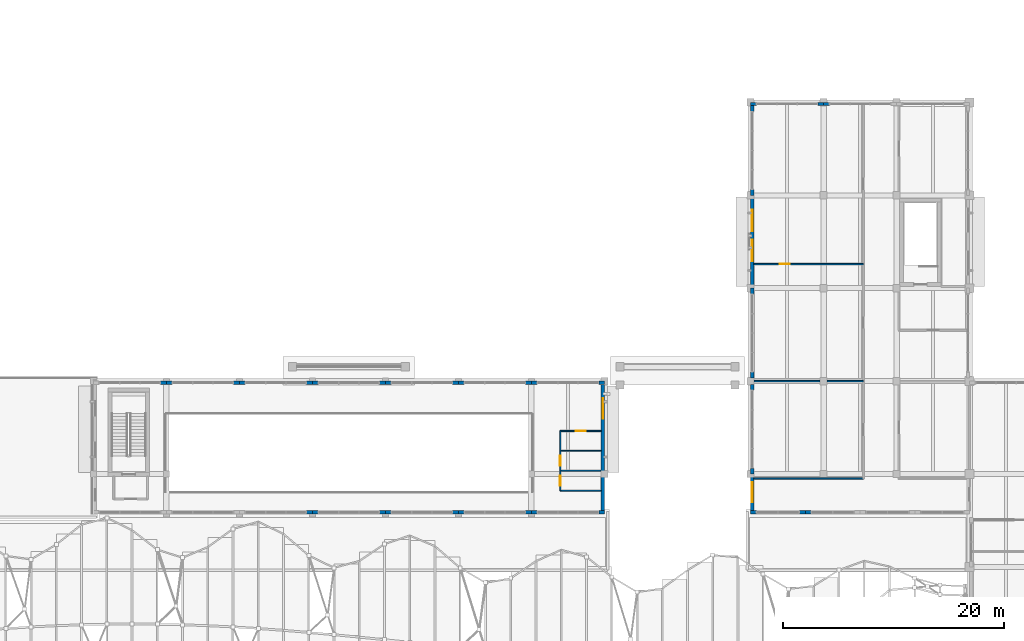
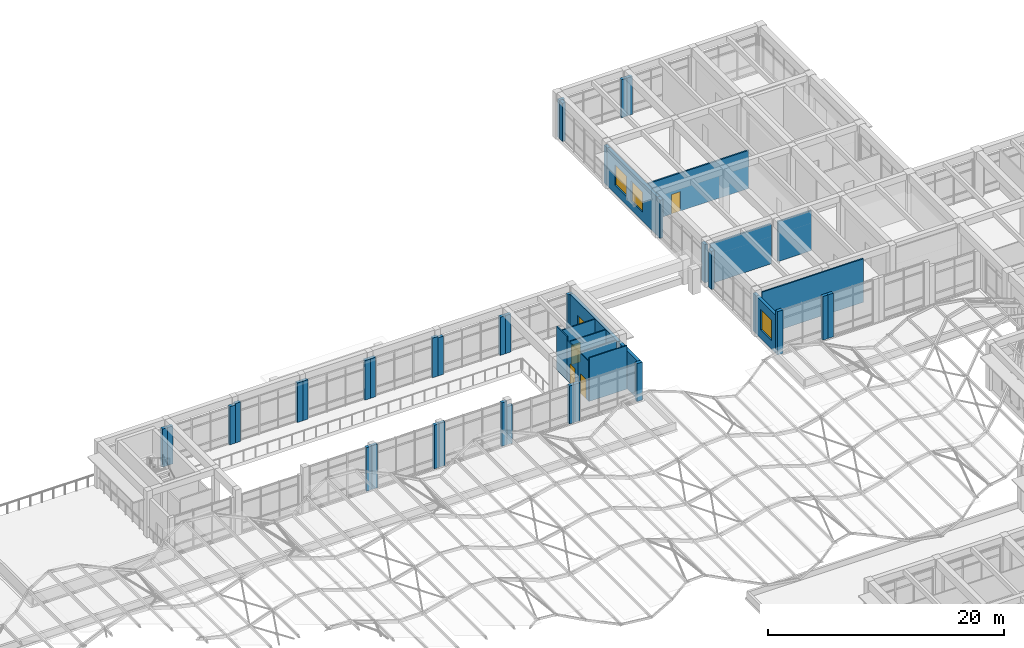
# One storey, part 56 of 79: 49 walls, 4 doors, 4 windows, 8 openings.
"""IFC4 building model written with IfcOpenShell, lengths in metres."""

from ifc_helpers import new_model, si_unit, direction, frame, frame_2d, origin, place, context, subcontext, project, spatial, rectangle, extrude, material, layer, layer_set, type_object, element, fill, save


model = new_model("IFC4")

# Units and contexts
model_context = context("Model", 3, precision=1e-05, world=origin(), true_north=direction((0.0, 1.0)))
body_context = subcontext(model_context, "Body", "Model", "MODEL_VIEW")
ifc_project = project(units=[si_unit("LENGTHUNIT", "METRE"), si_unit("AREAUNIT", "SQUARE_METRE"), si_unit("VOLUMEUNIT", "CUBIC_METRE"), si_unit("PLANEANGLEUNIT", "RADIAN"), si_unit("MASSUNIT", "GRAM", prefix="KILO")], contexts=[model_context])

# Site, building, storey
site_placement = place(None, origin())
site = spatial("IfcSite", under=ifc_project, at=site_placement, CompositionType="ELEMENT")
building_placement = place(site_placement, origin())
building = spatial("IfcBuilding", under=site, at=building_placement, Name="Kolvaren Faculty of Natural Sciences", CompositionType="ELEMENT")
storey_placement = place(building_placement, frame((0.0, 0.0, 10.199951171875)))
storey = spatial("IfcBuildingStorey", under=building, at=storey_placement, Name="L02", CompositionType="ELEMENT", Elevation=10.199951171875)

# Walls
ifc_material_1 = material(Name="Acoustic mineral-wool insulated gypsum partition")
ifc_layer_1 = layer(ifc_material_1, 0.14501953125)
ifc_layer_set_1 = layer_set([ifc_layer_1], Name="Acoustic mineral-wool insulated gypsum partition")
wall_type_1 = type_object("IfcWallType", Name="CommonsPartitionWall_145", PredefinedType="PARTITIONING", material=ifc_layer_set_1)
wall_1_placement = place(storey_placement, frame((129.199951171875, 84.199951171875, 0.0), z_axis=(0.0, 0.0, 1.0), x_axis=(-1.0, 0.0, 0.0)))
element("IfcWall", 1, at=wall_1_placement, inside=storey, type_object=wall_type_1, Name="L02 interior partition PW-145", PredefinedType="PARTITIONING", context=body_context, shape_type="SweptSolid", body=[
    extrude(rectangle(XDim=3.27490234375, YDim=0.14501953125, at=frame_2d((1.637451171875, 0.0))), origin(), (0.0, 0.0, 1.0), 4.135009765625),
])
wall_2_placement = place(storey_placement, frame((125.27490234375, 84.199951171875, 0.0), z_axis=(0.0, 0.0, 1.0), x_axis=(-1.0, 0.0, 0.0)))
element("IfcWall", 2, at=wall_2_placement, inside=storey, type_object=wall_type_1, Name="L02 interior partition PW-145", PredefinedType="PARTITIONING", context=body_context, shape_type="SweptSolid", body=[
    extrude(rectangle(XDim=5.949951171875, YDim=0.14501953125, at=frame_2d((2.97509765625, 0.0))), origin(), (0.0, 0.0, 1.0), 4.135009765625),
])

# Wall, opening, door
wall_3_placement = place(storey_placement, frame((119.302001953125, 94.783935546875, 0.0), z_axis=(0.0, 0.0, 1.0), x_axis=(1.0, 0.0, 0.0)))
wall_3 = element("IfcWall", 3, at=wall_3_placement, inside=storey, type_object=wall_type_1, Name="L02 interior partition PW-145", PredefinedType="PARTITIONING", context=body_context, shape_type="SweptSolid", body=[
    extrude(rectangle(XDim=9.89794921875, YDim=0.14501953125, at=frame_2d((4.948974609375, 0.0))), origin(), (0.0, 0.0, 1.0), 3.93505859375),
])
opening_1_placement = place(wall_3_placement, frame((2.3212890625, 0.0, 0.0)))
opening_1 = element("IfcOpeningElement", 4, at=opening_1_placement, cuts=wall_3, Name="Opening ID-01", PredefinedType="OPENING", context=body_context, shape_type="SweptSolid", body=[
    extrude(rectangle(XDim=0.89990234375, YDim=2.02001953125, at=frame_2d((0.449951171875, 1.010009765625))), frame((0.0, 0.08251953125, 0.0), z_axis=(0.0, -1.0, 0.0), x_axis=(1.0, 0.0, 0.0)), (0.0, 0.0, 1.0), 0.1650390625),
])
ifc_material_2 = material(Name="Solid-core hardwood veneer door leaf in steel frame", Category="steel")
door_type = type_object("IfcDoorType", Name="InteriorRoomDoor_900x2020", OperationType="NOTDEFINED", PredefinedType="DOOR", material=ifc_material_2)
door_1_placement = place(opening_1_placement, origin())
door_1 = element("IfcDoor", 5, at=door_1_placement, inside=storey, type_object=door_type, Name="D-L02-0185", OperationType="SINGLE_SWING_LEFT", OverallHeight=2.02001953125, OverallWidth=0.89990234375, PredefinedType="DOOR", context=body_context, shape_type="SweptSolid", body=[
    extrude(rectangle(XDim=0.89990234375, YDim=2.02001953125, at=frame_2d((0.449951171875, 1.010009765625))), frame((0.0, 0.02490234375, 0.0), z_axis=(0.0, -1.0, 0.0), x_axis=(1.0, 0.0, 0.0)), (0.0, 0.0, 1.0), 0.050048828125),
])
fill(opening_1, door_1)

# Walls
ifc_material_3 = material(Name="Sandstone-faced insulated cavity masonry", Category="masonry")
ifc_layer_2 = layer(ifc_material_3, 0.300048828125)
ifc_layer_set_2 = layer_set([ifc_layer_2], Name="Sandstone-faced insulated cavity masonry")
wall_type_2 = type_object("IfcWallType", Name="ExteriorCavityWall_300", PredefinedType="STANDARD", material=ifc_layer_set_2)
for number, where, z_axis, x_axis, name in (
    (6, (124.469970703125, 72.35009765625, 0.0), (0.0, 0.0, 1.0), (-1.0, 0.0, 0.0), "L02 curtain-wall pier stub 366"),
    (7, (123.949951171875, 72.35009765625, 0.0), (0.0, 0.0, 1.0), (-1.0, 0.0, 0.0), "L02 curtain-wall pier stub 367"),
    (8, (119.52001953125, 72.35009765625, 0.0), (0.0, 0.0, 1.0), (-1.0, 0.0, 0.0), "L02 curtain-wall pier stub 368"),
):
    element("IfcWall", number, at=place(storey_placement, frame(where, z_axis=z_axis, x_axis=x_axis)), inside=storey, type_object=wall_type_2, Name=name, PredefinedType="STANDARD", context=body_context, shape_type="SweptSolid", body=[
        extrude(rectangle(XDim=0.52001953125, YDim=0.300048828125, at=frame_2d((0.260009765625, 0.0))), origin(), (0.0, 0.0, 1.0), 4.5),
    ])

# Wall, opening, window
wall_4_placement = place(storey_placement, frame((119.14990234375, 72.5, 0.0), z_axis=(0.0, 0.0, 1.0), x_axis=(0.0, 1.0, 0.0)))
wall_4 = element("IfcWall", 9, at=wall_4_placement, inside=storey, type_object=wall_type_2, Name="L02 exterior masonry wall EW-300 (369)", PredefinedType="STANDARD", context=body_context, shape_type="SweptSolid", body=[
    extrude(rectangle(XDim=3.300048828125, YDim=0.300048828125, at=frame_2d((1.64990234375, 0.0))), origin(), (0.0, 0.0, 1.0), 3.93505859375),
])
opening_2_placement = place(wall_4_placement, frame((0.75, 0.0, 0.89990234375)))
opening_2 = element("IfcOpeningElement", 10, at=opening_2_placement, cuts=wall_4, Name="Opening WIN-05", PredefinedType="OPENING", context=body_context, shape_type="SweptSolid", body=[
    extrude(rectangle(XDim=1.800048828125, YDim=2.10009765625, at=frame_2d((0.89990234375, 1.050048828125))), frame((0.0, 0.159912109375, 0.0), z_axis=(0.0, -1.0, 0.0), x_axis=(1.0, 0.0, 0.0)), (0.0, 0.0, 1.0), 0.320068359375),
])
ifc_material_4 = material(Name="Double low-E solar control insulated glazing", Category="glass")
window_type_1 = type_object("IfcWindowType", Name="AluWindow_WIN05_1800x2100", PartitioningType="SINGLE_PANEL", PredefinedType="WINDOW", material=ifc_material_4)
window_1_placement = place(opening_2_placement, origin())
window_1 = element("IfcWindow", 11, at=window_1_placement, inside=storey, type_object=window_type_1, Name="WIN-L02-0279", OverallHeight=2.10009765625, OverallWidth=1.800048828125, PartitioningType="SINGLE_PANEL", PredefinedType="WINDOW", context=body_context, shape_type="SweptSolid", body=[
    extrude(rectangle(XDim=1.800048828125, YDim=2.10009765625, at=frame_2d((0.89990234375, 1.050048828125))), frame((0.0, 0.030029296875, 0.0), z_axis=(0.0, -1.0, 0.0), x_axis=(1.0, 0.0, 0.0)), (0.0, 0.0, 1.0), 0.06005859375),
])
fill(opening_2, window_1)

# Walls
for number, where, z_axis, x_axis, name in (
    (12, (119.14990234375, 75.800048828125, 0.0), (0.0, 0.0, 1.0), (0.0, 1.0, 0.0), "L02 curtain-wall pier stub 370"),
    (13, (119.14990234375, 83.3798828125, 0.0), (0.0, 0.0, 1.0), (0.0, 1.0, 0.0), "L02 curtain-wall pier stub 371"),
    (14, (119.14990234375, 84.5, 0.0), (0.0, 0.0, 1.0), (0.0, 1.0, 0.0), "L02 curtain-wall pier stub 372"),
    (15, (119.14990234375, 92.080078125, 0.0), (0.0, 0.0, 1.0), (0.0, 1.0, 0.0), "L02 curtain-wall pier stub 373"),
):
    element("IfcWall", number, at=place(storey_placement, frame(where, z_axis=z_axis, x_axis=x_axis)), inside=storey, type_object=wall_type_2, Name=name, PredefinedType="STANDARD", context=body_context, shape_type="SweptSolid", body=[
        extrude(rectangle(XDim=0.52001953125, YDim=0.300048828125, at=frame_2d((0.260009765625, 0.0))), origin(), (0.0, 0.0, 1.0), 3.93505859375),
    ])

# Wall, openings, windows
wall_5_placement = place(storey_placement, frame((119.14990234375, 92.60009765625, 0.0), z_axis=(0.0, 0.0, 1.0), x_axis=(0.0, 1.0, 0.0)))
wall_5 = element("IfcWall", 16, at=wall_5_placement, inside=storey, type_object=wall_type_2, Name="L02 exterior masonry wall EW-300 (374)", PredefinedType="STANDARD", context=body_context, shape_type="SweptSolid", body=[
    extrude(rectangle(XDim=8.39990234375, YDim=0.300048828125, at=frame_2d((4.199951171875, 0.0))), origin(), (0.0, 0.0, 1.0), 3.93505859375),
])
opening_3_placement = place(wall_5_placement, frame((2.424072265625, 0.0, 0.89990234375)))
opening_3 = element("IfcOpeningElement", 17, at=opening_3_placement, cuts=wall_5, Name="Opening WIN-06", PredefinedType="OPENING", context=body_context, shape_type="SweptSolid", body=[
    extrude(rectangle(XDim=1.949951171875, YDim=2.10009765625, at=frame_2d((0.97509765625, 1.050048828125))), frame((0.0, 0.159912109375, 0.0), z_axis=(0.0, -1.0, 0.0), x_axis=(1.0, 0.0, 0.0)), (0.0, 0.0, 1.0), 0.320068359375),
])
opening_4_placement = place(wall_5_placement, frame((5.156982421875, 0.0, 0.89990234375)))
opening_4 = element("IfcOpeningElement", 18, at=opening_4_placement, cuts=wall_5, Name="Opening WIN-06", PredefinedType="OPENING", context=body_context, shape_type="SweptSolid", body=[
    extrude(rectangle(XDim=1.949951171875, YDim=2.10009765625, at=frame_2d((0.97509765625, 1.050048828125))), frame((0.0, 0.159912109375, 0.0), z_axis=(0.0, -1.0, 0.0), x_axis=(1.0, 0.0, 0.0)), (0.0, 0.0, 1.0), 0.320068359375),
])
window_type_2 = type_object("IfcWindowType", Name="AluWindow_WIN06_1950x2100", PartitioningType="SINGLE_PANEL", PredefinedType="WINDOW", material=ifc_material_4)
window_2_placement = place(opening_3_placement, origin())
window_2 = element("IfcWindow", 19, at=window_2_placement, inside=storey, type_object=window_type_2, Name="WIN-L02-0280", OverallHeight=2.10009765625, OverallWidth=1.949951171875, PartitioningType="SINGLE_PANEL", PredefinedType="WINDOW", context=body_context, shape_type="SweptSolid", body=[
    extrude(rectangle(XDim=1.949951171875, YDim=2.10009765625, at=frame_2d((0.97509765625, 1.050048828125))), frame((0.0, 0.030029296875, 0.0), z_axis=(0.0, -1.0, 0.0), x_axis=(1.0, 0.0, 0.0)), (0.0, 0.0, 1.0), 0.06005859375),
])
fill(opening_3, window_2)
window_3_placement = place(opening_4_placement, origin())
window_3 = element("IfcWindow", 20, at=window_3_placement, inside=storey, type_object=window_type_2, Name="WIN-L02-0281", OverallHeight=2.10009765625, OverallWidth=1.949951171875, PartitioningType="SINGLE_PANEL", PredefinedType="WINDOW", context=body_context, shape_type="SweptSolid", body=[
    extrude(rectangle(XDim=1.949951171875, YDim=2.10009765625, at=frame_2d((0.97509765625, 1.050048828125))), frame((0.0, 0.030029296875, 0.0), z_axis=(0.0, -1.0, 0.0), x_axis=(1.0, 0.0, 0.0)), (0.0, 0.0, 1.0), 0.06005859375),
])
fill(opening_4, window_3)

# Walls
for number, where, z_axis, x_axis, name in (
    (21, (119.14990234375, 101.0, 0.0), (0.0, 0.0, 1.0), (0.0, 1.0, 0.0), "L02 curtain-wall pier stub 375"),
    (22, (119.14990234375, 108.580078125, 0.0), (0.0, 0.0, 1.0), (0.0, 1.0, 0.0), "L02 curtain-wall pier stub 376"),
    (23, (119.0, 109.25, 0.0), (0.0, 0.0, 1.0), (1.0, 0.0, 0.0), "L02 curtain-wall pier stub 377"),
    (24, (125.080078125, 109.25, 0.0), (0.0, 0.0, 1.0), (1.0, 0.0, 0.0), "L02 curtain-wall pier stub 378"),
    (25, (125.60009765625, 109.25, 0.0), (0.0, 0.0, 1.0), (1.0, 0.0, 0.0), "L02 curtain-wall pier stub 379"),
):
    element("IfcWall", number, at=place(storey_placement, frame(where, z_axis=z_axis, x_axis=x_axis)), inside=storey, type_object=wall_type_2, Name=name, PredefinedType="STANDARD", context=body_context, shape_type="SweptSolid", body=[
        extrude(rectangle(XDim=0.52001953125, YDim=0.300048828125, at=frame_2d((0.260009765625, 0.0))), origin(), (0.0, 0.0, 1.0), 3.93505859375),
    ])

# Wall, opening, window
wall_6_placement = place(storey_placement, frame((105.64990234375, 83.89990234375, 0.0), z_axis=(0.0, 0.0, 1.0), x_axis=(0.0, -1.0, 0.0)))
wall_6 = element("IfcWall", 26, at=wall_6_placement, inside=storey, type_object=wall_type_2, Name="L02 exterior masonry wall EW-300 (440)", PredefinedType="STANDARD", context=body_context, shape_type="SweptSolid", body=[
    extrude(rectangle(XDim=8.099853515625, YDim=0.300048828125, at=frame_2d((4.0498046875, 0.0))), origin(), (0.0, 0.0, 1.0), 3.93505859375),
])
opening_5_placement = place(wall_6_placement, frame((1.261962890625, 0.0, 0.89990234375)))
opening_5 = element("IfcOpeningElement", 27, at=opening_5_placement, cuts=wall_6, Name="Opening WIN-16", PredefinedType="OPENING", context=body_context, shape_type="SweptSolid", body=[
    extrude(rectangle(XDim=1.85009765625, YDim=1.60009765625, at=frame_2d((0.925048828125, 0.800048828125))), frame((0.0, 0.159912109375, 0.0), z_axis=(0.0, -1.0, 0.0), x_axis=(1.0, 0.0, 0.0)), (0.0, 0.0, 1.0), 0.320068359375),
])
window_type_3 = type_object("IfcWindowType", Name="AluWindow_WIN16_1850x1600", PartitioningType="SINGLE_PANEL", PredefinedType="WINDOW", material=ifc_material_4)
window_4_placement = place(opening_5_placement, origin())
window_4 = element("IfcWindow", 28, at=window_4_placement, inside=storey, type_object=window_type_3, Name="WIN-L02-0297", OverallHeight=1.60009765625, OverallWidth=1.85009765625, PartitioningType="SINGLE_PANEL", PredefinedType="WINDOW", context=body_context, shape_type="SweptSolid", body=[
    extrude(rectangle(XDim=1.85009765625, YDim=1.60009765625, at=frame_2d((0.925048828125, 0.800048828125))), frame((0.0, 0.030029296875, 0.0), z_axis=(0.0, -1.0, 0.0), x_axis=(1.0, 0.0, 0.0)), (0.0, 0.0, 1.0), 0.06005859375),
])
fill(opening_5, window_4)

# Walls
wall_7_placement = place(storey_placement, frame((105.64990234375, 75.800048828125, 0.0), z_axis=(0.0, 0.0, 1.0), x_axis=(0.0, -1.0, 0.0)))
element("IfcWall", 29, at=wall_7_placement, inside=storey, type_object=wall_type_2, Name="L02 exterior masonry wall EW-300 (441)", PredefinedType="STANDARD", context=body_context, shape_type="SweptSolid", body=[
    extrude(rectangle(XDim=3.300048828125, YDim=0.300048828125, at=frame_2d((1.64990234375, 0.0))), origin(), (0.0, 0.0, 1.0), 3.93505859375),
])
for number, where, z_axis, x_axis, name in (
    (30, (105.800048828125, 72.35009765625, 0.0), (0.0, 0.0, 1.0), (-1.0, 0.0, 0.0), "L02 curtain-wall pier stub 442"),
    (31, (99.719970703125, 72.35009765625, 0.0), (0.0, 0.0, 1.0), (-1.0, 0.0, 0.0), "L02 curtain-wall pier stub 443"),
    (32, (99.199951171875, 72.35009765625, 0.0), (0.0, 0.0, 1.0), (-1.0, 0.0, 0.0), "L02 curtain-wall pier stub 444"),
    (33, (93.1201171875, 72.35009765625, 0.0), (0.0, 0.0, 1.0), (-1.0, 0.0, 0.0), "L02 curtain-wall pier stub 445"),
):
    element("IfcWall", number, at=place(storey_placement, frame(where, z_axis=z_axis, x_axis=x_axis)), inside=storey, type_object=wall_type_2, Name=name, PredefinedType="STANDARD", context=body_context, shape_type="SweptSolid", body=[
        extrude(rectangle(XDim=0.52001953125, YDim=0.300048828125, at=frame_2d((0.260009765625, 0.0))), origin(), (0.0, 0.0, 1.0), 3.93505859375),
    ])
for number, where, z_axis, x_axis, name in (
    (34, (92.60009765625, 72.35009765625, 0.0), (0.0, 0.0, 1.0), (-1.0, 0.0, 0.0), "L02 curtain-wall pier stub 446"),
    (35, (86.52001953125, 72.35009765625, 0.0), (0.0, 0.0, 1.0), (-1.0, 0.0, 0.0), "L02 curtain-wall pier stub 447"),
    (36, (86.0, 72.35009765625, 0.0), (0.0, 0.0, 1.0), (-1.0, 0.0, 0.0), "L02 curtain-wall pier stub 448"),
    (37, (79.919921875, 72.35009765625, 0.0), (0.0, 0.0, 1.0), (-1.0, 0.0, 0.0), "L02 curtain-wall pier stub 449"),
    (38, (79.39990234375, 72.35009765625, 0.0), (0.0, 0.0, 1.0), (-1.0, 0.0, 0.0), "L02 curtain-wall pier stub 450"),
):
    element("IfcWall", number, at=place(storey_placement, frame(where, z_axis=z_axis, x_axis=x_axis)), inside=storey, type_object=wall_type_2, Name=name, PredefinedType="STANDARD", context=body_context, shape_type="SweptSolid", body=[
        extrude(rectangle(XDim=0.52001953125, YDim=0.300048828125, at=frame_2d((0.260009765625, 0.0))), origin(), (0.0, 0.0, 1.0), 4.5),
    ])
for number, where, z_axis, x_axis, name in (
    (39, (65.679931640625, 84.050048828125, 0.0), (0.0, 0.0, 1.0), (1.0, 0.0, 0.0), "L02 curtain-wall pier stub 459"),
    (40, (66.199951171875, 84.050048828125, 0.0), (0.0, 0.0, 1.0), (1.0, 0.0, 0.0), "L02 curtain-wall pier stub 460"),
    (41, (72.280029296875, 84.050048828125, 0.0), (0.0, 0.0, 1.0), (1.0, 0.0, 0.0), "L02 curtain-wall pier stub 461"),
):
    element("IfcWall", number, at=place(storey_placement, frame(where, z_axis=z_axis, x_axis=x_axis)), inside=storey, type_object=wall_type_2, Name=name, PredefinedType="STANDARD", context=body_context, shape_type="SweptSolid", body=[
        extrude(rectangle(XDim=0.52001953125, YDim=0.300048828125, at=frame_2d((0.260009765625, 0.0))), origin(), (0.0, 0.0, 1.0), 3.93505859375),
    ])
for number, where, z_axis, x_axis, name in (
    (42, (72.800048828125, 84.050048828125, 0.0), (0.0, 0.0, 1.0), (1.0, 0.0, 0.0), "L02 curtain-wall pier stub 462"),
    (43, (78.8798828125, 84.050048828125, 0.0), (0.0, 0.0, 1.0), (1.0, 0.0, 0.0), "L02 curtain-wall pier stub 463"),
    (44, (79.39990234375, 84.050048828125, 0.0), (0.0, 0.0, 1.0), (1.0, 0.0, 0.0), "L02 curtain-wall pier stub 464"),
    (45, (85.47998046875, 84.050048828125, 0.0), (0.0, 0.0, 1.0), (1.0, 0.0, 0.0), "L02 curtain-wall pier stub 465"),
    (46, (86.0, 84.050048828125, 0.0), (0.0, 0.0, 1.0), (1.0, 0.0, 0.0), "L02 curtain-wall pier stub 466"),
    (47, (92.080078125, 84.050048828125, 0.0), (0.0, 0.0, 1.0), (1.0, 0.0, 0.0), "L02 curtain-wall pier stub 467"),
):
    element("IfcWall", number, at=place(storey_placement, frame(where, z_axis=z_axis, x_axis=x_axis)), inside=storey, type_object=wall_type_2, Name=name, PredefinedType="STANDARD", context=body_context, shape_type="SweptSolid", body=[
        extrude(rectangle(XDim=0.52001953125, YDim=0.300048828125, at=frame_2d((0.260009765625, 0.0))), origin(), (0.0, 0.0, 1.0), 4.0849609375),
    ])
for number, where, z_axis, x_axis, name in (
    (48, (92.60009765625, 84.050048828125, 0.0), (0.0, 0.0, 1.0), (1.0, 0.0, 0.0), "L02 curtain-wall pier stub 468"),
    (49, (98.679931640625, 84.050048828125, 0.0), (0.0, 0.0, 1.0), (1.0, 0.0, 0.0), "L02 curtain-wall pier stub 469"),
    (50, (99.199951171875, 84.050048828125, 0.0), (0.0, 0.0, 1.0), (1.0, 0.0, 0.0), "L02 curtain-wall pier stub 470"),
    (51, (105.280029296875, 84.050048828125, 0.0), (0.0, 0.0, 1.0), (1.0, 0.0, 0.0), "L02 curtain-wall pier stub 471"),
):
    element("IfcWall", number, at=place(storey_placement, frame(where, z_axis=z_axis, x_axis=x_axis)), inside=storey, type_object=wall_type_2, Name=name, PredefinedType="STANDARD", context=body_context, shape_type="SweptSolid", body=[
        extrude(rectangle(XDim=0.52001953125, YDim=0.300048828125, at=frame_2d((0.260009765625, 0.0))), origin(), (0.0, 0.0, 1.0), 3.93505859375),
    ])
ifc_layer_3 = layer(ifc_material_1, 0.1298828125)
ifc_layer_set_3 = layer_set([ifc_layer_3], Name="Acoustic mineral-wool insulated gypsum partition")
wall_type_3 = type_object("IfcWallType", Name="OfficePartitionWall_130", PredefinedType="PARTITIONING", material=ifc_layer_set_3)
wall_8_placement = place(storey_placement, frame((129.199951171875, 75.39990234375, 0.0), z_axis=(0.0, 0.0, 1.0), x_axis=(-1.0, 0.0, 0.0)))
element("IfcWall", 52, at=wall_8_placement, inside=storey, type_object=wall_type_3, Name="L02 interior partition PW-130", PredefinedType="PARTITIONING", context=body_context, shape_type="SweptSolid", body=[
    extrude(rectangle(XDim=9.89794921875, YDim=0.1298828125, at=frame_2d((4.948974609375, 0.0))), origin(), (0.0, 0.0, 1.0), 4.4951171875),
])

# Wall, opening, door
ifc_layer_4 = layer(ifc_material_1, 0.10498046875)
ifc_layer_set_4 = layer_set([ifc_layer_4], Name="Acoustic mineral-wool insulated gypsum partition")
wall_type_4 = type_object("IfcWallType", Name="WetRoomPartition_105", PredefinedType="PARTITIONING", material=ifc_layer_set_4)
wall_9_placement = place(storey_placement, frame((101.800048828125, 74.300048828125, 0.0), z_axis=(0.0, 0.0, 1.0), x_axis=(0.0, 1.0, 0.0)))
wall_9 = element("IfcWall", 53, at=wall_9_placement, inside=storey, type_object=wall_type_4, Name="L02 interior partition PW-105", PredefinedType="PARTITIONING", context=body_context, shape_type="SweptSolid", body=[
    extrude(rectangle(XDim=1.800048828125, YDim=0.10498046875, at=frame_2d((0.89990234375, 0.0))), origin(), (0.0, 0.0, 1.0), 4.135009765625),
])
opening_6_placement = place(wall_9_placement, frame((0.449951171875, 0.0, 0.0)))
opening_6 = element("IfcOpeningElement", 54, at=opening_6_placement, cuts=wall_9, Name="Opening ID-01", PredefinedType="OPENING", context=body_context, shape_type="SweptSolid", body=[
    extrude(rectangle(XDim=0.89990234375, YDim=2.02001953125, at=frame_2d((0.449951171875, 1.010009765625))), frame((0.0, 0.0625, 0.0), z_axis=(0.0, -1.0, 0.0), x_axis=(1.0, 0.0, 0.0)), (0.0, 0.0, 1.0), 0.125),
])
door_2_placement = place(opening_6_placement, origin())
door_2 = element("IfcDoor", 55, at=door_2_placement, inside=storey, type_object=door_type, Name="D-L02-0181", OperationType="SINGLE_SWING_LEFT", OverallHeight=2.02001953125, OverallWidth=0.89990234375, PredefinedType="DOOR", context=body_context, shape_type="SweptSolid", body=[
    extrude(rectangle(XDim=0.89990234375, YDim=2.02001953125, at=frame_2d((0.449951171875, 1.010009765625))), frame((0.0, 0.02490234375, 0.0), z_axis=(0.0, -1.0, 0.0), x_axis=(1.0, 0.0, 0.0)), (0.0, 0.0, 1.0), 0.050048828125),
])
fill(opening_6, door_2)

# Walls
wall_10_placement = place(storey_placement, frame((101.800048828125, 76.10009765625, 0.0), z_axis=(0.0, 0.0, 1.0), x_axis=(1.0, 0.0, 0.0)))
element("IfcWall", 56, at=wall_10_placement, inside=storey, type_object=wall_type_4, Name="L02 interior partition PW-105", PredefinedType="PARTITIONING", context=body_context, shape_type="SweptSolid", body=[
    extrude(rectangle(XDim=3.675048828125, YDim=0.10498046875, at=frame_2d((1.83740234375, 0.0))), origin(), (0.0, 0.0, 1.0), 3.93505859375),
])
wall_11_placement = place(storey_placement, frame((105.498046875, 74.300048828125, 0.0), z_axis=(0.0, 0.0, 1.0), x_axis=(-1.0, 0.0, 0.0)))
element("IfcWall", 57, at=wall_11_placement, inside=storey, type_object=wall_type_4, Name="L02 interior partition PW-105", PredefinedType="PARTITIONING", context=body_context, shape_type="SweptSolid", body=[
    extrude(rectangle(XDim=3.697998046875, YDim=0.10498046875, at=frame_2d((1.84912109375, 0.0))), origin(), (0.0, 0.0, 1.0), 4.4951171875),
])

# Wall, opening, door
wall_12_placement = place(storey_placement, frame((101.800048828125, 76.10009765625, 0.0), z_axis=(0.0, 0.0, 1.0), x_axis=(0.0, 1.0, 0.0)))
wall_12 = element("IfcWall", 58, at=wall_12_placement, inside=storey, type_object=wall_type_4, Name="L02 interior partition PW-105", PredefinedType="PARTITIONING", context=body_context, shape_type="SweptSolid", body=[
    extrude(rectangle(XDim=1.7998046875, YDim=0.10498046875, at=frame_2d((0.89990234375, 0.0))), origin(), (0.0, 0.0, 1.0), 4.135009765625),
])
opening_7_placement = place(wall_12_placement, frame((0.449951171875, 0.0, 0.0)))
opening_7 = element("IfcOpeningElement", 59, at=opening_7_placement, cuts=wall_12, Name="Opening ID-01", PredefinedType="OPENING", context=body_context, shape_type="SweptSolid", body=[
    extrude(rectangle(XDim=0.89990234375, YDim=2.02001953125, at=frame_2d((0.449951171875, 1.010009765625))), frame((0.0, 0.0625, 0.0), z_axis=(0.0, -1.0, 0.0), x_axis=(1.0, 0.0, 0.0)), (0.0, 0.0, 1.0), 0.125),
])
door_3_placement = place(opening_7_placement, origin())
door_3 = element("IfcDoor", 60, at=door_3_placement, inside=storey, type_object=door_type, Name="D-L02-0182", OperationType="SINGLE_SWING_RIGHT", OverallHeight=2.02001953125, OverallWidth=0.89990234375, PredefinedType="DOOR", context=body_context, shape_type="SweptSolid", body=[
    extrude(rectangle(XDim=0.89990234375, YDim=2.02001953125, at=frame_2d((0.449951171875, 1.010009765625))), frame((0.0, 0.02490234375, 0.0), z_axis=(0.0, -1.0, 0.0), x_axis=(1.0, 0.0, 0.0)), (0.0, 0.0, 1.0), 0.050048828125),
])
fill(opening_7, door_3)

# Walls
wall_13_placement = place(storey_placement, frame((101.800048828125, 77.89990234375, 0.0), z_axis=(0.0, 0.0, 1.0), x_axis=(1.0, 0.0, 0.0)))
element("IfcWall", 61, at=wall_13_placement, inside=storey, type_object=wall_type_4, Name="L02 interior partition PW-105", PredefinedType="PARTITIONING", context=body_context, shape_type="SweptSolid", body=[
    extrude(rectangle(XDim=3.697998046875, YDim=0.10498046875, at=frame_2d((1.84912109375, 0.0))), origin(), (0.0, 0.0, 1.0), 3.93505859375),
])
wall_14_placement = place(storey_placement, frame((101.800048828125, 77.89990234375, 0.0), z_axis=(0.0, 0.0, 1.0), x_axis=(0.0, 1.0, 0.0)))
element("IfcWall", 62, at=wall_14_placement, inside=storey, type_object=wall_type_4, Name="L02 interior partition PW-105", PredefinedType="PARTITIONING", context=body_context, shape_type="SweptSolid", body=[
    extrude(rectangle(XDim=1.800048828125, YDim=0.10498046875, at=frame_2d((0.89990234375, 0.0))), origin(), (0.0, 0.0, 1.0), 4.4951171875),
])

# Wall, opening, door
wall_15_placement = place(storey_placement, frame((101.800048828125, 79.699951171875, 0.0), z_axis=(0.0, 0.0, 1.0), x_axis=(1.0, 0.0, 0.0)))
wall_15 = element("IfcWall", 63, at=wall_15_placement, inside=storey, type_object=wall_type_4, Name="L02 interior partition PW-105", PredefinedType="PARTITIONING", context=body_context, shape_type="SweptSolid", body=[
    extrude(rectangle(XDim=3.697998046875, YDim=0.10498046875, at=frame_2d((1.84912109375, 0.0))), origin(), (0.0, 0.0, 1.0), 3.93505859375),
])
opening_8_placement = place(wall_15_placement, frame((1.39892578125, 0.0, 0.0)))
opening_8 = element("IfcOpeningElement", 64, at=opening_8_placement, cuts=wall_15, Name="Opening ID-01", PredefinedType="OPENING", context=body_context, shape_type="SweptSolid", body=[
    extrude(rectangle(XDim=0.89990234375, YDim=2.02001953125, at=frame_2d((0.449951171875, 1.010009765625))), frame((0.0, 0.0625, 0.0), z_axis=(0.0, -1.0, 0.0), x_axis=(1.0, 0.0, 0.0)), (0.0, 0.0, 1.0), 0.125),
])
door_4_placement = place(opening_8_placement, origin())
door_4 = element("IfcDoor", 65, at=door_4_placement, inside=storey, type_object=door_type, Name="D-L02-0183", OperationType="SINGLE_SWING_LEFT", OverallHeight=2.02001953125, OverallWidth=0.89990234375, PredefinedType="DOOR", context=body_context, shape_type="SweptSolid", body=[
    extrude(rectangle(XDim=0.89990234375, YDim=2.02001953125, at=frame_2d((0.449951171875, 1.010009765625))), frame((0.0, 0.02490234375, 0.0), z_axis=(0.0, -1.0, 0.0), x_axis=(1.0, 0.0, 0.0)), (0.0, 0.0, 1.0), 0.050048828125),
])
fill(opening_8, door_4)

save(model, "model.ifc")
